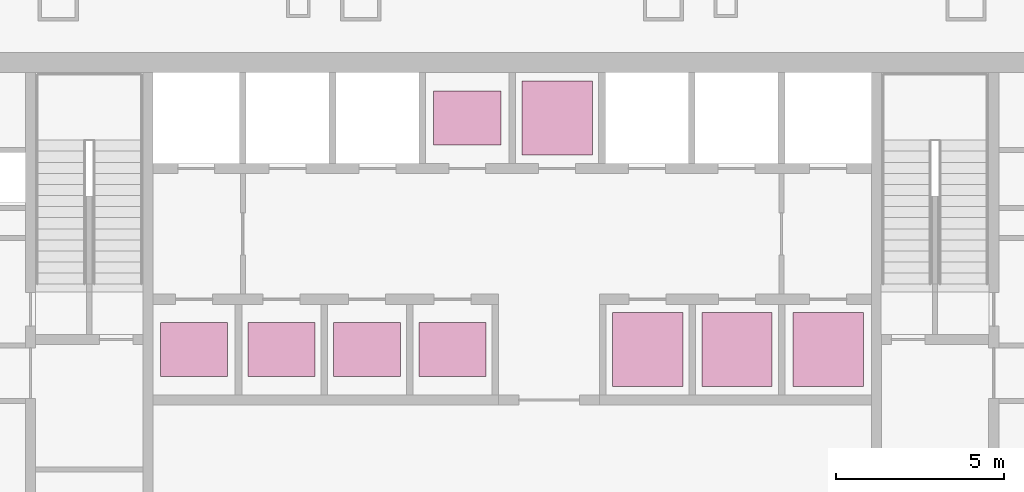
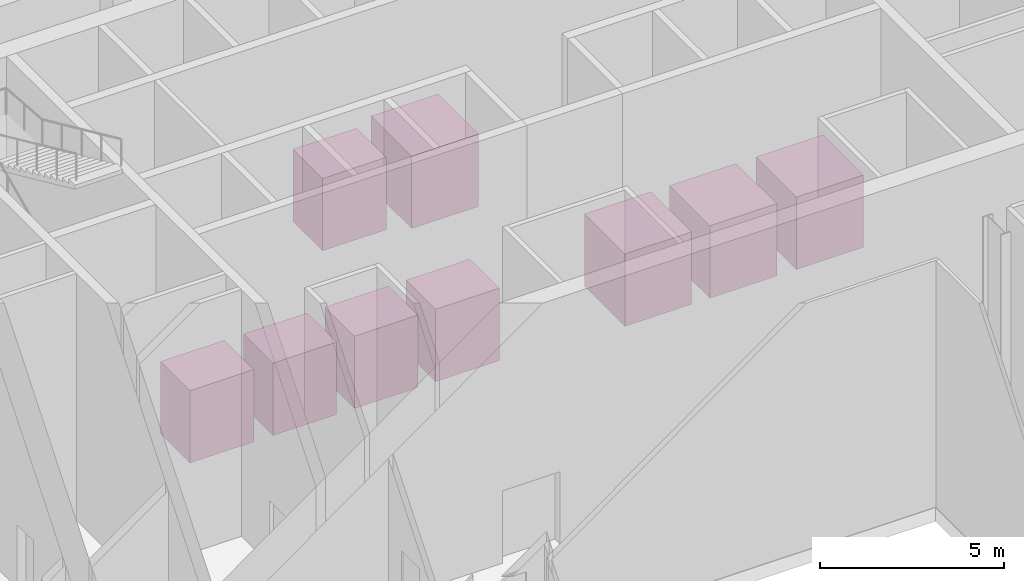
# One storey, part 34 of 34: 9 transport elements.
"""IFC4 building model written with IfcOpenShell, lengths in metres."""

import ifcopenshell
import ifcopenshell.guid

model = None  # the IFC model being written
_history = None  # IfcOwnerHistory: only IFC2X3 demands one
_inside = {}  # id of a spatial element -> (the spatial element, [elements in it])
_under = {}  # id of a project, library or spatial element -> (it, [spatial elements below it])
_declared = {}  # id of a project -> (the project, [libraries it declares])
_typed = {}  # id of a type object -> (the type object, [elements of that type])
_made_of = {}  # id of a material, layer set ... -> (it, [elements and type objects made of it])


def new_model(schema):
    """Start an empty IFC model of exactly this schema.

    Asked for "IFC4X3", IfcOpenShell would pick the latest addendum, in which some entities
    have other attributes; the version numbers below select the first issue.
    IFC2X3 requires an IfcOwnerHistory on every rooted entity: one is made here for all.
    """
    global model, _history
    if schema == "IFC4X3":
        model = ifcopenshell.file(schema_version=(4, 3, 0, 0))
    else:
        model = ifcopenshell.file(schema=schema)
    _inside.clear()
    _under.clear()
    _declared.clear()
    _typed.clear()
    _made_of.clear()
    _history = None
    if model.schema == "IFC2X3":
        org = make("IfcOrganization", Name="unknown")
        user = make(
            "IfcPersonAndOrganization",
            ThePerson=make("IfcPerson", FamilyName="unknown"),
            TheOrganization=org,
        )
        app = make(
            "IfcApplication",
            ApplicationDeveloper=org,
            Version="unknown",
            ApplicationFullName="unknown",
            ApplicationIdentifier="unknown",
        )
        _history = make(
            "IfcOwnerHistory",
            OwningUser=user,
            OwningApplication=app,
            ChangeAction="ADDED",
            CreationDate=0,
        )
    return model


def make(cls, **values):
    """One entity of the class cls with the attributes given. An attribute that is None is left unset."""
    return model.create_entity(
        cls, **{name: value for name, value in values.items() if value is not None}
    )


def rooted(cls, **values):
    """An entity with a GlobalId (a new one), such as an element, a storey or a relation."""
    return make(cls, GlobalId=ifcopenshell.guid.new(), OwnerHistory=_history, **values)


def si_unit(unit_type, name, prefix=None):
    """IfcSIUnit, for example si_unit("LENGTHUNIT", "METRE", prefix="MILLI")."""
    return make("IfcSIUnit", UnitType=unit_type, Prefix=prefix, Name=name)


def assignment(units):
    """IfcUnitAssignment: the units of a project."""
    return None if units is None else make("IfcUnitAssignment", Units=units)


def point(xyz):
    """IfcCartesianPoint."""
    return None if xyz is None else make("IfcCartesianPoint", Coordinates=xyz)


def direction(xyz):
    """IfcDirection."""
    return None if xyz is None else make("IfcDirection", DirectionRatios=xyz)


def frame(location, z_axis=None, x_axis=None):
    """IfcAxis2Placement3D, a coordinate frame: its origin and axes. An axis left out is left unset."""
    return make(
        "IfcAxis2Placement3D",
        Location=point(location),
        Axis=direction(z_axis),
        RefDirection=direction(x_axis),
    )


def frame_2d(location, x_axis=None):
    """IfcAxis2Placement2D, a coordinate frame in the plane: its origin and x axis."""
    return make(
        "IfcAxis2Placement2D", Location=point(location), RefDirection=direction(x_axis)
    )


def origin():
    """The frame at (0, 0, 0) with its axes left unset."""
    return frame((0.0, 0.0, 0.0))


def origin_2d():
    """The frame at (0, 0) in the plane with its x axis left unset."""
    return frame_2d((0.0, 0.0))


def place(relative_to, where):
    """IfcLocalPlacement: puts the frame where relative to a parent placement (None: the world)."""
    return make(
        "IfcLocalPlacement", PlacementRelTo=relative_to, RelativePlacement=where
    )


def context(
    kind, dimensions, precision=None, world=None, true_north=None, identifier=None
):
    """IfcGeometricRepresentationContext, for example the 3D "Model" context."""
    return make(
        "IfcGeometricRepresentationContext",
        ContextIdentifier=identifier,
        ContextType=kind,
        CoordinateSpaceDimension=dimensions,
        Precision=precision,
        WorldCoordinateSystem=world,
        TrueNorth=true_north,
    )


def subcontext(parent, identifier, kind, view, scale=None):
    """IfcGeometricRepresentationSubContext, for example "Body" below "Model"."""
    return make(
        "IfcGeometricRepresentationSubContext",
        ContextIdentifier=identifier,
        ContextType=kind,
        ParentContext=parent,
        TargetScale=scale,
        TargetView=view,
    )


def project(units=None, contexts=None):
    """IfcProject with its units and contexts."""
    return rooted(
        "IfcProject",
        Name="project",
        RepresentationContexts=contexts,
        UnitsInContext=assignment(units),
    )


def spatial(cls, under=None, at=None, **own):
    """A site, building, storey or space (cls), placed at a placement, below another one or the project."""
    s = rooted(cls, ObjectPlacement=at, **own)
    if under is not None:
        _under.setdefault(under.id(), (under, []))[1].append(s)
    return s


def profile(cls, at=None, kind="AREA", **sizes):
    """A parametric profile (cls). Its sizes go by their IFC names, for example OverallWidth=200.0."""
    return make(cls, ProfileType=kind, Position=at, **sizes)


def rectangle(**sizes):
    """IfcRectangleProfileDef."""
    return profile("IfcRectangleProfileDef", **sizes)


def extrude(swept, where, along, depth):
    """IfcExtrudedAreaSolid: the profile swept, set in the frame where, extruded along a direction by depth."""
    return make(
        "IfcExtrudedAreaSolid",
        SweptArea=swept,
        Position=where,
        ExtrudedDirection=direction(along),
        Depth=depth,
    )


def shape(context_of_items, identifier, shape_type, items):
    """IfcShapeRepresentation: the items that make up one representation, for example the "Body"."""
    return make(
        "IfcShapeRepresentation",
        ContextOfItems=context_of_items,
        RepresentationIdentifier=identifier,
        RepresentationType=shape_type,
        Items=items,
    )


def material(Name=None, Category=None):
    """IfcMaterial."""
    return make("IfcMaterial", Name=Name, Category=Category)


def made_of(thing, what):
    """Note that an element or type object is made of a material, layer set ...; save() writes the relation."""
    if what is not None:
        _made_of.setdefault(what.id(), (what, []))[1].append(thing)
    return thing


def type_object(cls, material=None, **own):
    """A type object (cls), such as IfcWallType, which elements share."""
    return made_of(rooted(cls, **own), material)


def element(
    cls,
    number,
    at=None,
    inside=None,
    cuts=None,
    type_object=None,
    material=None,
    context=None,
    identifier="Body",
    shape_type=None,
    held_by="IfcProductDefinitionShape",
    body=None,
    shapes=None,
    **own,
):
    """One element of the class cls, such as IfcWall. Its Tag is "e" and its number.

    at: its placement. inside: the storey or other place that contains it. cuts: it is an
    opening in that element (IfcRelVoidsElement). A single representation is given by context,
    identifier, shape_type and body (its items); several are given by shapes. held_by: the class
    of the entity that holds the representations. save() writes the other relations.
    """
    e = rooted(cls, Tag="e%d" % number, ObjectPlacement=at, **own)
    if body is not None:
        shapes = [shape(context, identifier, shape_type, body)]
    if shapes is not None:
        e.Representation = make(held_by, Representations=shapes)
    if inside is not None:
        _inside.setdefault(inside.id(), (inside, []))[1].append(e)
    if cuts is not None:
        rooted(
            "IfcRelVoidsElement", RelatingBuildingElement=cuts, RelatedOpeningElement=e
        )
    if type_object is not None:
        _typed.setdefault(type_object.id(), (type_object, []))[1].append(e)
    return made_of(e, material)


def aggregate(whole, parts):
    """IfcRelAggregates: a whole, such as a stair, and the parts it consists of."""
    return rooted("IfcRelAggregates", RelatingObject=whole, RelatedObjects=parts)


def save(model, path):
    """Write the relations noted so far, then the file.

    IfcRelAggregates (storeys below a building ...), IfcRelContainedInSpatialStructure (elements
    in a storey), IfcRelDefinesByType, IfcRelAssociatesMaterial and IfcRelDeclares: one each for
    every whole, place, type object, material and project.
    """
    for whole, parts in _under.values():
        aggregate(whole, parts)
    for where, things in _inside.values():
        rooted(
            "IfcRelContainedInSpatialStructure",
            RelatedElements=things,
            RelatingStructure=where,
        )
    for kind, things in _typed.values():
        rooted("IfcRelDefinesByType", RelatedObjects=things, RelatingType=kind)
    for what, things in _made_of.values():
        rooted("IfcRelAssociatesMaterial", RelatedObjects=things, RelatingMaterial=what)
    for by, libraries in _declared.values():
        rooted("IfcRelDeclares", RelatingContext=by, RelatedDefinitions=libraries)
    model.write(path)


model = new_model("IFC4")

# Units and contexts
model_context = context("Model", 3, precision=1e-05, world=origin(), true_north=direction((0.0, 1.0)))
body_context = subcontext(model_context, "Body", "Model", "MODEL_VIEW")
ifc_project = project(units=[si_unit("LENGTHUNIT", "METRE"), si_unit("AREAUNIT", "SQUARE_METRE"), si_unit("VOLUMEUNIT", "CUBIC_METRE"), si_unit("PLANEANGLEUNIT", "RADIAN"), si_unit("MASSUNIT", "GRAM", prefix="KILO")], contexts=[model_context])

# Site, building, storey
site_placement = place(None, origin())
site = spatial("IfcSite", under=ifc_project, at=site_placement, CompositionType="ELEMENT")
building_placement = place(site_placement, origin())
building = spatial("IfcBuilding", under=site, at=building_placement, Name="Njiva Tower", CompositionType="ELEMENT")
storey_placement = place(building_placement, origin())
storey = spatial("IfcBuildingStorey", under=building, at=storey_placement, Name="L00", CompositionType="ELEMENT", Elevation=0.0)

# Transport elements
ifc_material = material(Name="Stainless steel car", Category="steel")
transport_element_type_1 = type_object("IfcTransportElementType", Name="LF1 Passenger lift 1600 kg", PredefinedType="ELEVATOR", material=ifc_material)
for number, where, z_axis, x_axis, name in (
    (1, (-1.3375, 16.05, 0.0), (0.0, 0.0, 1.0), (1.0, 0.0, 0.0), "Lift LB3 car"),
    (2, (-9.475, 9.15, 0.0), (0.0, 0.0, 1.0), (1.0, 0.0, 0.0), "Lift LB4 car"),
    (3, (-6.875, 9.15, 0.0), (0.0, 0.0, 1.0), (1.0, 0.0, 0.0), "Lift LB5 car"),
    (4, (-4.325, 9.15, 0.0), (0.0, 0.0, 1.0), (1.0, 0.0, 0.0), "Lift LB6 car"),
    (5, (-1.775, 9.15, 0.0), (0.0, 0.0, 1.0), (1.0, 0.0, 0.0), "Lift LB7 car"),
):
    element("IfcTransportElement", number, at=place(storey_placement, frame(where, z_axis=z_axis, x_axis=x_axis)), inside=storey, type_object=transport_element_type_1, Name=name, PredefinedType="ELEVATOR", context=body_context, shape_type="SweptSolid", body=[
        extrude(rectangle(XDim=2.0, YDim=1.6, at=origin_2d()), origin(), (0.0, 0.0, 1.0), 2.4),
    ])
transport_element_type_2 = type_object("IfcTransportElementType", Name="LF2 Shuttle lift 2500 kg", PredefinedType="ELEVATOR", material=ifc_material)
for number, where, z_axis, x_axis, name in (
    (6, (1.3375, 16.05, 0.0), (0.0, 0.0, 1.0), (1.0, 0.0, 0.0), "Lift SA2 car"),
    (7, (4.0334, 9.15, 0.0), (0.0, 0.0, 1.0), (1.0, 0.0, 0.0), "Lift SA1 car"),
    (8, (6.7, 9.15, 0.0), (0.0, 0.0, 1.0), (1.0, 0.0, 0.0), "Lift SB1 car"),
    (9, (9.4167, 9.15, 0.0), (0.0, 0.0, 1.0), (1.0, 0.0, 0.0), "Lift SB2 car"),
):
    element("IfcTransportElement", number, at=place(storey_placement, frame(where, z_axis=z_axis, x_axis=x_axis)), inside=storey, type_object=transport_element_type_2, Name=name, PredefinedType="ELEVATOR", context=body_context, shape_type="SweptSolid", body=[
        extrude(rectangle(XDim=2.1, YDim=2.2, at=origin_2d()), origin(), (0.0, 0.0, 1.0), 2.4),
    ])

save(model, "model.ifc")
